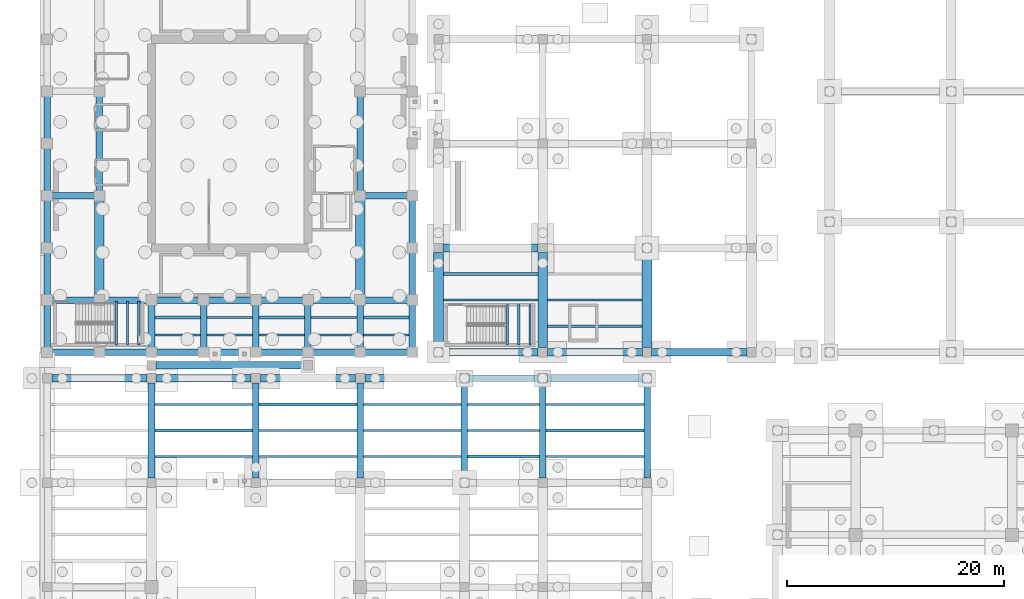
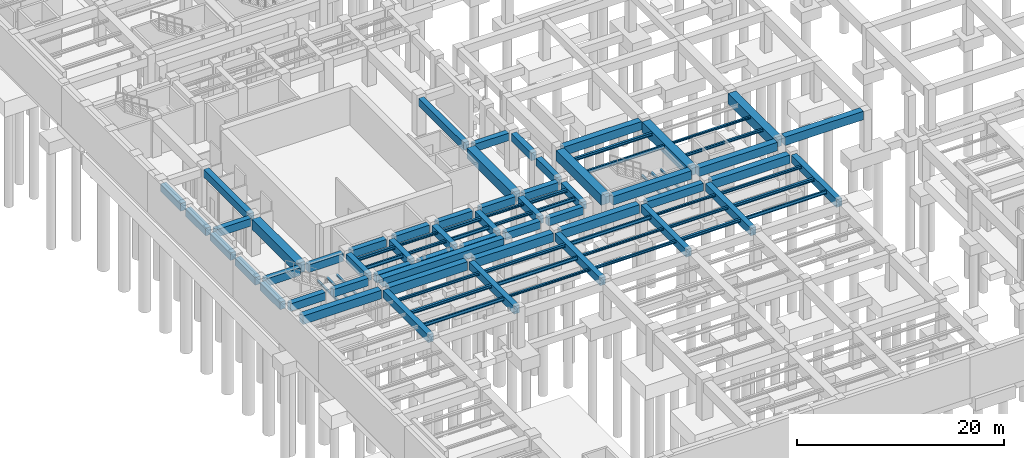
# One storey, part 25 of 56: 88 beams.
"""IFC4 building model written with IfcOpenShell, lengths in metres."""

from ifc_helpers import new_model, si_unit, direction, frame, origin, origin_2d, place, context, subcontext, project, spatial, rectangle, i_section, extrude, material, material_profile, profile_set, type_object, element, save


model = new_model("IFC4")

# Units and contexts
model_context = context("Model", 3, precision=1e-05, world=origin(), true_north=direction((0.0, 1.0)))
body_context = subcontext(model_context, "Body", "Model", "MODEL_VIEW")
ifc_project = project(units=[si_unit("LENGTHUNIT", "METRE"), si_unit("AREAUNIT", "SQUARE_METRE"), si_unit("VOLUMEUNIT", "CUBIC_METRE"), si_unit("PLANEANGLEUNIT", "RADIAN"), si_unit("MASSUNIT", "GRAM", prefix="KILO")], contexts=[model_context])

# Site, building, storey
site_placement = place(None, origin())
site = spatial("IfcSite", under=ifc_project, at=site_placement, CompositionType="ELEMENT")
building_placement = place(site_placement, origin())
building = spatial("IfcBuilding", under=site, at=building_placement, Name="Mavantir Sound Aquarium", CompositionType="ELEMENT")
storey_placement = place(building_placement, frame((0.0, 0.0, -9.60009765625)))
storey = spatial("IfcBuildingStorey", under=building, at=storey_placement, Name="B2", CompositionType="ELEMENT", Elevation=-9.60009765625)

# Beams
ifc_material_1 = material(Name="Concrete C40/50", Category="concrete")
ifc_material_profile_1 = material_profile(ifc_material_1, rectangle(XDim=0.60009765625, YDim=0.89990234375, at=origin_2d()), Name="RC 600X900")
ifc_profile_set_1 = profile_set([ifc_material_profile_1], Name="Concrete C40/50")
beam_type_1 = type_object("IfcBeamType", Name="BM-RC600X900-E", PredefinedType="BEAM", material=ifc_profile_set_1)
beam_1_placement = place(storey_placement, frame((0.449951171875, 40.800048828125, 3.946044921875), z_axis=(1.0, 0.0, 0.0), x_axis=(0.0, 1.0, 0.0)))
element("IfcBeam", 1, at=beam_1_placement, inside=storey, type_object=beam_type_1, Name="B2 primary beam RCB-09 40", PredefinedType="BEAM", context=body_context, shape_type="SweptSolid", body=[
    extrude(rectangle(XDim=0.60009765625, YDim=0.89990234375, at=origin_2d()), origin(), (0.0, 0.0, 1.0), 3.900146484375),
])
for number, where, z_axis, x_axis, name in (
    (2, (5.25, 40.800048828125, 3.946044921875), (1.0, 0.0, 0.0), (0.0, 1.0, 0.0), "B2 primary beam RCB-09 41"),
    (3, (10.050048828125, 40.800048828125, 3.946044921875), (1.0, 0.0, 0.0), (0.0, 1.0, 0.0), "B2 primary beam RCB-09 42"),
    (4, (14.85009765625, 40.800048828125, 3.946044921875), (1.0, 0.0, 0.0), (0.0, 1.0, 0.0), "B2 primary beam RCB-09 43"),
):
    element("IfcBeam", number, at=place(storey_placement, frame(where, z_axis=z_axis, x_axis=x_axis)), inside=storey, type_object=beam_type_1, Name=name, PredefinedType="BEAM", context=body_context, shape_type="SweptSolid", body=[
        extrude(rectangle(XDim=0.60009765625, YDim=0.89990234375, at=origin_2d()), origin(), (0.0, 0.0, 1.0), 3.89990234375),
    ])
for number, where, z_axis, x_axis, name in (
    (5, (19.64990234375, 40.800048828125, 3.946044921875), (1.0, 0.0, 0.0), (0.0, 1.0, 0.0), "B2 primary beam RCB-09 44"),
    (6, (24.449951171875, 40.800048828125, 3.946044921875), (1.0, 0.0, 0.0), (0.0, 1.0, 0.0), "B2 primary beam RCB-09 45"),
):
    element("IfcBeam", number, at=place(storey_placement, frame(where, z_axis=z_axis, x_axis=x_axis)), inside=storey, type_object=beam_type_1, Name=name, PredefinedType="BEAM", context=body_context, shape_type="SweptSolid", body=[
        extrude(rectangle(XDim=0.60009765625, YDim=0.89990234375, at=origin_2d()), origin(), (0.0, 0.0, 1.0), 3.900146484375),
    ])
for number, where, z_axis, x_axis, name in (
    (7, (29.25, 40.800048828125, 3.946044921875), (1.0, 0.0, 0.0), (0.0, 1.0, 0.0), "B2 primary beam RCB-09 46"),
    (8, (0.0, 41.25, 3.946044921875), (0.0, 1.0, 0.0), (-1.0, 0.0, 0.0), "B2 primary girder RCB-09 70"),
    (9, (0.0, 46.050048828125, 3.946044921875), (0.0, 1.0, 0.0), (-1.0, 0.0, 0.0), "B2 primary girder RCB-09 71"),
    (10, (0.0, 50.85009765625, 3.946044921875), (0.0, 1.0, 0.0), (-1.0, 0.0, 0.0), "B2 primary girder RCB-09 72"),
):
    element("IfcBeam", number, at=place(storey_placement, frame(where, z_axis=z_axis, x_axis=x_axis)), inside=storey, type_object=beam_type_1, Name=name, PredefinedType="BEAM", context=body_context, shape_type="SweptSolid", body=[
        extrude(rectangle(XDim=0.60009765625, YDim=0.89990234375, at=origin_2d()), origin(), (0.0, 0.0, 1.0), 3.89990234375),
    ])
for number, where, z_axis, x_axis, name in (
    (11, (0.0, 55.64990234375, 3.946044921875), (0.0, 1.0, 0.0), (-1.0, 0.0, 0.0), "B2 primary girder RCB-09 73"),
    (12, (0.0, 60.449951171875, 3.946044921875), (0.0, 1.0, 0.0), (-1.0, 0.0, 0.0), "B2 primary girder RCB-09 74"),
):
    element("IfcBeam", number, at=place(storey_placement, frame(where, z_axis=z_axis, x_axis=x_axis)), inside=storey, type_object=beam_type_1, Name=name, PredefinedType="BEAM", context=body_context, shape_type="SweptSolid", body=[
        extrude(rectangle(XDim=0.60009765625, YDim=0.89990234375, at=origin_2d()), origin(), (0.0, 0.0, 1.0), 3.900146484375),
    ])
for number, where, z_axis, x_axis, name in (
    (13, (33.60009765625, 41.25, 3.946044921875), (0.0, 1.0, 0.0), (-1.0, 0.0, 0.0), "B2 primary girder RCB-09 94"),
    (14, (33.60009765625, 46.050048828125, 3.946044921875), (0.0, 1.0, 0.0), (-1.0, 0.0, 0.0), "B2 primary girder RCB-09 95"),
    (15, (33.60009765625, 50.85009765625, 3.946044921875), (0.0, 1.0, 0.0), (-1.0, 0.0, 0.0), "B2 primary girder RCB-09 96"),
):
    element("IfcBeam", number, at=place(storey_placement, frame(where, z_axis=z_axis, x_axis=x_axis)), inside=storey, type_object=beam_type_1, Name=name, PredefinedType="BEAM", context=body_context, shape_type="SweptSolid", body=[
        extrude(rectangle(XDim=0.60009765625, YDim=0.89990234375, at=origin_2d()), origin(), (0.0, 0.0, 1.0), 3.89990234375),
    ])
beam_2_placement = place(storey_placement, frame((38.824951171875, 38.39990234375, 3.99609375), z_axis=(1.0, 0.0, 0.0), x_axis=(0.0, 1.0, 0.0)))
element("IfcBeam", 16, at=beam_2_placement, inside=storey, type_object=beam_type_1, Name="B2 primary beam RCB-09 150", PredefinedType="BEAM", context=body_context, shape_type="SweptSolid", body=[
    extrude(rectangle(XDim=0.60009765625, YDim=0.89990234375, at=origin_2d()), origin(), (0.0, 0.0, 1.0), 6.35009765625),
])
beam_3_placement = place(storey_placement, frame((55.199951171875, 29.22509765625, 3.99609375), z_axis=(0.0, 1.0, 0.0), x_axis=(-1.0, 0.0, 0.0)))
element("IfcBeam", 17, at=beam_3_placement, inside=storey, type_object=beam_type_1, Name="B2 primary girder RCB-09 176", PredefinedType="BEAM", context=body_context, shape_type="SweptSolid", body=[
    extrude(rectangle(XDim=0.60009765625, YDim=0.89990234375, at=origin_2d()), origin(), (0.0, 0.0, 1.0), 8.75),
])
ifc_material_profile_2 = material_profile(ifc_material_1, rectangle(XDim=0.60009765625, YDim=0.89990234375, at=origin_2d()), Name="RC 600X900")
ifc_profile_set_2 = profile_set([ifc_material_profile_2], Name="Concrete C40/50")
beam_type_2 = type_object("IfcBeamType", Name="BM-RC600X900-I", PredefinedType="BEAM", material=ifc_profile_set_2)
beam_4_placement = place(storey_placement, frame((0.449951171875, 45.60009765625, 3.946044921875), z_axis=(1.0, 0.0, 0.0), x_axis=(0.0, 1.0, 0.0)))
element("IfcBeam", 18, at=beam_4_placement, inside=storey, type_object=beam_type_2, Name="B2 primary beam RCB-09 47", PredefinedType="BEAM", context=body_context, shape_type="SweptSolid", body=[
    extrude(rectangle(XDim=0.60009765625, YDim=0.89990234375, at=origin_2d()), origin(), (0.0, 0.0, 1.0), 3.900146484375),
])
for number, where, z_axis, x_axis, name in (
    (19, (5.25, 45.60009765625, 3.946044921875), (1.0, 0.0, 0.0), (0.0, 1.0, 0.0), "B2 primary beam RCB-09 48"),
    (20, (10.050048828125, 45.60009765625, 3.946044921875), (1.0, 0.0, 0.0), (0.0, 1.0, 0.0), "B2 primary beam RCB-09 49"),
    (21, (14.85009765625, 45.60009765625, 3.946044921875), (1.0, 0.0, 0.0), (0.0, 1.0, 0.0), "B2 primary beam RCB-09 50"),
):
    element("IfcBeam", number, at=place(storey_placement, frame(where, z_axis=z_axis, x_axis=x_axis)), inside=storey, type_object=beam_type_2, Name=name, PredefinedType="BEAM", context=body_context, shape_type="SweptSolid", body=[
        extrude(rectangle(XDim=0.60009765625, YDim=0.89990234375, at=origin_2d()), origin(), (0.0, 0.0, 1.0), 3.89990234375),
    ])
for number, where, z_axis, x_axis, name in (
    (22, (19.64990234375, 45.60009765625, 3.946044921875), (1.0, 0.0, 0.0), (0.0, 1.0, 0.0), "B2 primary beam RCB-09 51"),
    (23, (24.449951171875, 45.60009765625, 3.946044921875), (1.0, 0.0, 0.0), (0.0, 1.0, 0.0), "B2 primary beam RCB-09 52"),
):
    element("IfcBeam", number, at=place(storey_placement, frame(where, z_axis=z_axis, x_axis=x_axis)), inside=storey, type_object=beam_type_2, Name=name, PredefinedType="BEAM", context=body_context, shape_type="SweptSolid", body=[
        extrude(rectangle(XDim=0.60009765625, YDim=0.89990234375, at=origin_2d()), origin(), (0.0, 0.0, 1.0), 3.900146484375),
    ])
beam_5_placement = place(storey_placement, frame((29.25, 45.60009765625, 3.946044921875), z_axis=(1.0, 0.0, 0.0), x_axis=(0.0, 1.0, 0.0)))
element("IfcBeam", 24, at=beam_5_placement, inside=storey, type_object=beam_type_2, Name="B2 primary beam RCB-09 53", PredefinedType="BEAM", context=body_context, shape_type="SweptSolid", body=[
    extrude(rectangle(XDim=0.60009765625, YDim=0.89990234375, at=origin_2d()), origin(), (0.0, 0.0, 1.0), 3.89990234375),
])
beam_6_placement = place(storey_placement, frame((0.449951171875, 55.199951171875, 3.946044921875), z_axis=(1.0, 0.0, 0.0), x_axis=(0.0, 1.0, 0.0)))
element("IfcBeam", 25, at=beam_6_placement, inside=storey, type_object=beam_type_2, Name="B2 primary beam RCB-09 54", PredefinedType="BEAM", context=body_context, shape_type="SweptSolid", body=[
    extrude(rectangle(XDim=0.60009765625, YDim=0.89990234375, at=origin_2d()), origin(), (0.0, 0.0, 1.0), 3.900146484375),
])
beam_7_placement = place(storey_placement, frame((29.25, 55.199951171875, 3.946044921875), z_axis=(1.0, 0.0, 0.0), x_axis=(0.0, 1.0, 0.0)))
element("IfcBeam", 26, at=beam_7_placement, inside=storey, type_object=beam_type_2, Name="B2 primary beam RCB-09 55", PredefinedType="BEAM", context=body_context, shape_type="SweptSolid", body=[
    extrude(rectangle(XDim=0.60009765625, YDim=0.89990234375, at=origin_2d()), origin(), (0.0, 0.0, 1.0), 3.89990234375),
])
beam_8_placement = place(storey_placement, frame((4.800048828125, 55.64990234375, 3.946044921875), z_axis=(0.0, 1.0, 0.0), x_axis=(-1.0, 0.0, 0.0)))
element("IfcBeam", 27, at=beam_8_placement, inside=storey, type_object=beam_type_2, Name="B2 primary girder RCB-09 79", PredefinedType="BEAM", context=body_context, shape_type="SweptSolid", body=[
    extrude(rectangle(XDim=0.60009765625, YDim=0.89990234375, at=origin_2d()), origin(), (0.0, 0.0, 1.0), 8.7001953125),
])
for number, where, z_axis, x_axis, name in (
    (28, (9.60009765625, 41.25, 3.946044921875), (0.0, 1.0, 0.0), (-1.0, 0.0, 0.0), "B2 primary girder RCB-09 81"),
    (29, (14.39990234375, 41.25, 3.946044921875), (0.0, 1.0, 0.0), (-1.0, 0.0, 0.0), "B2 primary girder RCB-09 83"),
    (30, (19.199951171875, 41.25, 3.946044921875), (0.0, 1.0, 0.0), (-1.0, 0.0, 0.0), "B2 primary girder RCB-09 85"),
    (31, (24.0, 41.25, 3.946044921875), (0.0, 1.0, 0.0), (-1.0, 0.0, 0.0), "B2 primary girder RCB-09 87"),
    (32, (28.800048828125, 41.25, 3.946044921875), (0.0, 1.0, 0.0), (-1.0, 0.0, 0.0), "B2 primary girder RCB-09 89"),
):
    element("IfcBeam", number, at=place(storey_placement, frame(where, z_axis=z_axis, x_axis=x_axis)), inside=storey, type_object=beam_type_2, Name=name, PredefinedType="BEAM", context=body_context, shape_type="SweptSolid", body=[
        extrude(rectangle(XDim=0.60009765625, YDim=0.89990234375, at=origin_2d()), origin(), (0.0, 0.0, 1.0), 3.89990234375),
    ])
beam_9_placement = place(storey_placement, frame((28.800048828125, 55.64990234375, 3.946044921875), z_axis=(0.0, 1.0, 0.0), x_axis=(-1.0, 0.0, 0.0)))
element("IfcBeam", 33, at=beam_9_placement, inside=storey, type_object=beam_type_2, Name="B2 primary girder RCB-09 91", PredefinedType="BEAM", context=body_context, shape_type="SweptSolid", body=[
    extrude(rectangle(XDim=0.60009765625, YDim=0.89990234375, at=origin_2d()), origin(), (0.0, 0.0, 1.0), 8.7001953125),
])
for number, where, z_axis, x_axis, name in (
    (34, (9.60009765625, 29.22509765625, 3.99609375), (0.0, 1.0, 0.0), (-1.0, 0.0, 0.0), "B2 primary girder RCB-09 159"),
    (35, (19.199951171875, 29.22509765625, 3.99609375), (0.0, 1.0, 0.0), (-1.0, 0.0, 0.0), "B2 primary girder RCB-09 160"),
    (36, (28.800048828125, 29.22509765625, 3.99609375), (0.0, 1.0, 0.0), (-1.0, 0.0, 0.0), "B2 primary girder RCB-09 164"),
    (37, (38.39990234375, 29.22509765625, 3.99609375), (0.0, 1.0, 0.0), (-1.0, 0.0, 0.0), "B2 primary girder RCB-09 168"),
    (38, (45.60009765625, 29.22509765625, 3.99609375), (0.0, 1.0, 0.0), (-1.0, 0.0, 0.0), "B2 primary girder RCB-09 172"),
):
    element("IfcBeam", number, at=place(storey_placement, frame(where, z_axis=z_axis, x_axis=x_axis)), inside=storey, type_object=beam_type_2, Name=name, PredefinedType="BEAM", context=body_context, shape_type="SweptSolid", body=[
        extrude(rectangle(XDim=0.60009765625, YDim=0.89990234375, at=origin_2d()), origin(), (0.0, 0.0, 1.0), 8.75),
    ])
ifc_material_profile_3 = material_profile(ifc_material_1, rectangle(XDim=0.699951171875, YDim=1.0, at=origin_2d()), Name="RC 700X1000")
ifc_profile_set_3 = profile_set([ifc_material_profile_3], Name="Concrete C40/50")
beam_type_3 = type_object("IfcBeamType", Name="BM-RC700X1000-E", PredefinedType="BEAM", material=ifc_profile_set_3)
for number, where, z_axis, x_axis, name in (
    (39, (36.425048828125, 40.800048828125, 3.99609375), (1.0, 0.0, 0.0), (0.0, 1.0, 0.0), "B2 primary beam RCB-10 102"),
    (40, (46.02490234375, 40.800048828125, 3.99609375), (1.0, 0.0, 0.0), (0.0, 1.0, 0.0), "B2 primary beam RCB-10 103"),
    (41, (55.625, 40.800048828125, 4.296142578125), (1.0, 0.0, 0.0), (0.0, 1.0, 0.0), "B2 primary beam RCB-10 104"),
    (42, (0.425048828125, 38.39990234375, 3.946044921875), (1.0, 0.0, 0.0), (0.0, 1.0, 0.0), "B2 primary beam RCB-10 146"),
    (43, (10.02490234375, 38.39990234375, 3.946044921875), (1.0, 0.0, 0.0), (0.0, 1.0, 0.0), "B2 primary beam RCB-10 147"),
    (44, (19.625, 38.39990234375, 3.946044921875), (1.0, 0.0, 0.0), (0.0, 1.0, 0.0), "B2 primary beam RCB-10 148"),
    (45, (29.22509765625, 38.39990234375, 3.946044921875), (1.0, 0.0, 0.0), (0.0, 1.0, 0.0), "B2 primary beam RCB-10 149"),
    (46, (46.02490234375, 38.39990234375, 3.946044921875), (1.0, 0.0, 0.0), (0.0, 1.0, 0.0), "B2 primary beam RCB-10 151"),
):
    element("IfcBeam", number, at=place(storey_placement, frame(where, z_axis=z_axis, x_axis=x_axis)), inside=storey, type_object=beam_type_3, Name=name, PredefinedType="BEAM", context=body_context, shape_type="SweptSolid", body=[
        extrude(rectangle(XDim=0.699951171875, YDim=1.0, at=origin_2d()), origin(), (0.0, 0.0, 1.0), 8.75),
    ])
ifc_material_profile_4 = material_profile(ifc_material_1, rectangle(XDim=0.699951171875, YDim=1.0, at=origin_2d()), Name="RC 700X1000")
ifc_profile_set_4 = profile_set([ifc_material_profile_4], Name="Concrete C40/50")
beam_type_4 = type_object("IfcBeamType", Name="BM-RC700X1000-I", PredefinedType="BEAM", material=ifc_profile_set_4)
beam_10_placement = place(storey_placement, frame((10.02490234375, 39.60009765625, 4.296142578125), z_axis=(1.0, 0.0, 0.0), x_axis=(0.0, 1.0, 0.0)))
element("IfcBeam", 47, at=beam_10_placement, inside=storey, type_object=beam_type_4, Name="B2 primary beam RCB-10 8", PredefinedType="BEAM", context=body_context, shape_type="SweptSolid", body=[
    extrude(rectangle(XDim=0.699951171875, YDim=1.0, at=origin_2d()), origin(), (0.0, 0.0, 1.0), 13.550048828125),
])
beam_11_placement = place(storey_placement, frame((36.425048828125, 50.39990234375, 3.99609375), z_axis=(1.0, 0.0, 0.0), x_axis=(0.0, 1.0, 0.0)))
element("IfcBeam", 48, at=beam_11_placement, inside=storey, type_object=beam_type_4, Name="B2 primary beam RCB-10 105", PredefinedType="BEAM", context=body_context, shape_type="SweptSolid", body=[
    extrude(rectangle(XDim=0.699951171875, YDim=1.0, at=origin_2d()), origin(), (0.0, 0.0, 1.0), 8.75),
])
ifc_material_profile_5 = material_profile(ifc_material_1, rectangle(XDim=0.89990234375, YDim=1.199951171875, at=origin_2d()), Name="RC 900X1200")
ifc_profile_set_5 = profile_set([ifc_material_profile_5], Name="Concrete C40/50")
beam_type_5 = type_object("IfcBeamType", Name="BM-RC900X1200-E", PredefinedType="BEAM", material=ifc_profile_set_5)
beam_12_placement = place(storey_placement, frame((36.0, 41.22509765625, 3.89599609375), z_axis=(0.0, 1.0, 0.0), x_axis=(-1.0, 0.0, 0.0)))
element("IfcBeam", 49, at=beam_12_placement, inside=storey, type_object=beam_type_5, Name="B2 primary girder RCB-12 114", PredefinedType="BEAM", context=body_context, shape_type="SweptSolid", body=[
    extrude(rectangle(XDim=0.89990234375, YDim=1.199951171875, at=origin_2d()), origin(), (0.0, 0.0, 1.0), 8.75),
])
ifc_material_profile_6 = material_profile(ifc_material_1, rectangle(XDim=0.89990234375, YDim=1.199951171875, at=origin_2d()), Name="RC 900X1200")
ifc_profile_set_6 = profile_set([ifc_material_profile_6], Name="Concrete C40/50")
beam_type_6 = type_object("IfcBeamType", Name="BM-RC900X1200-I", PredefinedType="BEAM", material=ifc_profile_set_6)
for number, where, z_axis, x_axis, name in (
    (50, (4.800048828125, 46.050048828125, 3.796142578125), (0.0, 1.0, 0.0), (-1.0, 0.0, 0.0), "B2 primary girder RCB-12 78"),
    (51, (28.800048828125, 46.050048828125, 3.796142578125), (0.0, 1.0, 0.0), (-1.0, 0.0, 0.0), "B2 primary girder RCB-12 90"),
):
    element("IfcBeam", number, at=place(storey_placement, frame(where, z_axis=z_axis, x_axis=x_axis)), inside=storey, type_object=beam_type_6, Name=name, PredefinedType="BEAM", context=body_context, shape_type="SweptSolid", body=[
        extrude(rectangle(XDim=0.89990234375, YDim=1.199951171875, at=origin_2d()), origin(), (0.0, 0.0, 1.0), 8.699951171875),
    ])
for number, where, z_axis, x_axis, name in (
    (52, (45.60009765625, 41.22509765625, 3.89599609375), (0.0, 1.0, 0.0), (-1.0, 0.0, 0.0), "B2 primary girder RCB-12 117"),
    (53, (55.199951171875, 41.22509765625, 3.89599609375), (0.0, 1.0, 0.0), (-1.0, 0.0, 0.0), "B2 primary girder RCB-12 120"),
):
    element("IfcBeam", number, at=place(storey_placement, frame(where, z_axis=z_axis, x_axis=x_axis)), inside=storey, type_object=beam_type_6, Name=name, PredefinedType="BEAM", context=body_context, shape_type="SweptSolid", body=[
        extrude(rectangle(XDim=0.89990234375, YDim=1.199951171875, at=origin_2d()), origin(), (0.0, 0.0, 1.0), 8.75),
    ])
ifc_material_2 = material(Name="Structural Steel ASTM A992 Gr50", Category="steel")
ifc_material_profile_7 = material_profile(ifc_material_2, i_section(OverallWidth=0.202880859375, OverallDepth=0.202880859375, WebThickness=0.007080078125, FlangeThickness=0.010986328125, FilletRadius=0.010009765625, at=origin_2d()), Name="W200X46")
ifc_profile_set_7 = profile_set([ifc_material_profile_7], Name="Structural Steel ASTM A992 Gr50")
beam_type_7 = type_object("IfcBeamType", Name="BM-W200X46-I", PredefinedType="LINTEL", material=ifc_profile_set_7)
for number, where, z_axis, x_axis, name in (
    (54, (6.35009765625, 41.47509765625, 2.095703125), (0.0, 1.0, 0.0), (-1.0, 0.0, 0.0), "Stair ST1 landing support beam 1"),
    (55, (7.389892578125, 41.47509765625, 2.095703125), (0.0, 1.0, 0.0), (-1.0, 0.0, 0.0), "Stair ST1 landing support beam 2"),
    (56, (8.429931640625, 41.47509765625, 2.095703125), (0.0, 1.0, 0.0), (-1.0, 0.0, 0.0), "Stair ST1 landing support beam 3"),
):
    element("IfcBeam", number, at=place(storey_placement, frame(where, z_axis=z_axis, x_axis=x_axis)), inside=storey, type_object=beam_type_7, Name=name, PredefinedType="LINTEL", context=body_context, shape_type="SweptSolid", body=[
        extrude(i_section(OverallWidth=0.202880859375, OverallDepth=0.202880859375, WebThickness=0.007080078125, FlangeThickness=0.010986328125, FilletRadius=0.010009765625, at=origin_2d()), origin(), (0.0, 0.0, 1.0), 4.0),
    ])
for number, where, z_axis, x_axis, name in (
    (57, (42.35009765625, 41.47509765625, 2.095703125), (0.0, 1.0, 0.0), (-1.0, 0.0, 0.0), "Stair ST8 landing support beam 139"),
    (58, (43.389892578125, 41.47509765625, 2.095703125), (0.0, 1.0, 0.0), (-1.0, 0.0, 0.0), "Stair ST8 landing support beam 140"),
    (59, (44.429931640625, 41.47509765625, 2.095703125), (0.0, 1.0, 0.0), (-1.0, 0.0, 0.0), "Stair ST8 landing support beam 141"),
):
    element("IfcBeam", number, at=place(storey_placement, frame(where, z_axis=z_axis, x_axis=x_axis)), inside=storey, type_object=beam_type_7, Name=name, PredefinedType="LINTEL", context=body_context, shape_type="SweptSolid", body=[
        extrude(i_section(OverallWidth=0.202880859375, OverallDepth=0.202880859375, WebThickness=0.007080078125, FlangeThickness=0.010986328125, FilletRadius=0.010009765625, at=origin_2d()), origin(), (0.0, 0.0, 1.0), 3.699951171875),
    ])
ifc_material_profile_8 = material_profile(ifc_material_2, i_section(OverallWidth=0.202880859375, OverallDepth=0.251953125, WebThickness=0.008056640625, FlangeThickness=0.013427734375, FilletRadius=0.011962890625, at=origin_2d()), Name="W250X58")
ifc_profile_set_8 = profile_set([ifc_material_profile_8], Name="Structural Steel ASTM A992 Gr50")
beam_type_8 = type_object("IfcBeamType", Name="BM-W250X58-I", PredefinedType="JOIST", material=ifc_profile_set_8)
for number, where, z_axis, x_axis, name in (
    (60, (14.699951171875, 44.0, 4.27001953125), (1.0, 0.0, 0.0), (0.0, 1.0, 0.0), "B2 secondary floor joist SJ-25 4"),
    (61, (24.300048828125, 44.0, 4.27001953125), (1.0, 0.0, 0.0), (0.0, 1.0, 0.0), "B2 secondary floor joist SJ-25 8"),
):
    element("IfcBeam", number, at=place(storey_placement, frame(where, z_axis=z_axis, x_axis=x_axis)), inside=storey, type_object=beam_type_8, Name=name, PredefinedType="JOIST", context=body_context, shape_type="SweptSolid", body=[
        extrude(i_section(OverallWidth=0.202880859375, OverallDepth=0.251953125, WebThickness=0.008056640625, FlangeThickness=0.013427734375, FilletRadius=0.011962890625, at=origin_2d()), origin(), (0.0, 0.0, 1.0), 4.199951171875),
    ])
beam_13_placement = place(storey_placement, frame((46.050048828125, 45.60009765625, 4.3701171875), z_axis=(1.0, 0.0, 0.0), x_axis=(0.0, 1.0, 0.0)))
element("IfcBeam", 62, at=beam_13_placement, inside=storey, type_object=beam_type_8, Name="B2 secondary floor joist SJ-25 24", PredefinedType="JOIST", context=body_context, shape_type="SweptSolid", body=[
    extrude(i_section(OverallWidth=0.202880859375, OverallDepth=0.251953125, WebThickness=0.008056640625, FlangeThickness=0.013427734375, FilletRadius=0.011962890625, at=origin_2d()), origin(), (0.0, 0.0, 1.0), 8.699951171875),
])
for number, where, z_axis, x_axis, name in (
    (63, (19.5, 31.199951171875, 4.320068359375), (1.0, 0.0, 0.0), (0.0, 1.0, 0.0), "B2 secondary floor joist SJ-25 60"),
    (64, (29.10009765625, 33.60009765625, 4.320068359375), (1.0, 0.0, 0.0), (0.0, 1.0, 0.0), "B2 secondary floor joist SJ-25 64"),
):
    element("IfcBeam", number, at=place(storey_placement, frame(where, z_axis=z_axis, x_axis=x_axis)), inside=storey, type_object=beam_type_8, Name=name, PredefinedType="JOIST", context=body_context, shape_type="SweptSolid", body=[
        extrude(i_section(OverallWidth=0.202880859375, OverallDepth=0.251953125, WebThickness=0.008056640625, FlangeThickness=0.013427734375, FilletRadius=0.011962890625, at=origin_2d()), origin(), (0.0, 0.0, 1.0), 9.0),
    ])
beam_14_placement = place(storey_placement, frame((38.699951171875, 36.0, 4.320068359375), z_axis=(1.0, 0.0, 0.0), x_axis=(0.0, 1.0, 0.0)))
element("IfcBeam", 65, at=beam_14_placement, inside=storey, type_object=beam_type_8, Name="B2 secondary floor joist SJ-25 68", PredefinedType="JOIST", context=body_context, shape_type="SweptSolid", body=[
    extrude(i_section(OverallWidth=0.202880859375, OverallDepth=0.251953125, WebThickness=0.008056640625, FlangeThickness=0.013427734375, FilletRadius=0.011962890625, at=origin_2d()), origin(), (0.0, 0.0, 1.0), 6.60009765625),
])
ifc_material_profile_9 = material_profile(ifc_material_2, i_section(OverallWidth=0.205078125, OverallDepth=0.31005859375, WebThickness=0.009521484375, FlangeThickness=0.016357421875, FilletRadius=0.012939453125, at=origin_2d()), Name="W310X74")
ifc_profile_set_9 = profile_set([ifc_material_profile_9], Name="Structural Steel ASTM A992 Gr50")
beam_type_9 = type_object("IfcBeamType", Name="BM-W310X74-I", PredefinedType="JOIST", material=ifc_profile_set_9)
for number, where, z_axis, x_axis, name in (
    (66, (14.699951171875, 42.39990234375, 4.2412109375), (1.0, 0.0, 0.0), (0.0, 1.0, 0.0), "B2 secondary floor joist SJ-31 3"),
    (67, (24.300048828125, 42.39990234375, 4.2412109375), (1.0, 0.0, 0.0), (0.0, 1.0, 0.0), "B2 secondary floor joist SJ-31 7"),
):
    element("IfcBeam", number, at=place(storey_placement, frame(where, z_axis=z_axis, x_axis=x_axis)), inside=storey, type_object=beam_type_9, Name=name, PredefinedType="JOIST", context=body_context, shape_type="SweptSolid", body=[
        extrude(i_section(OverallWidth=0.205078125, OverallDepth=0.31005859375, WebThickness=0.009521484375, FlangeThickness=0.016357421875, FilletRadius=0.012939453125, at=origin_2d()), origin(), (0.0, 0.0, 1.0), 4.199951171875),
    ])
beam_15_placement = place(storey_placement, frame((46.050048828125, 43.199951171875, 4.341064453125), z_axis=(1.0, 0.0, 0.0), x_axis=(0.0, 1.0, 0.0)))
element("IfcBeam", 68, at=beam_15_placement, inside=storey, type_object=beam_type_9, Name="B2 secondary floor joist SJ-31 23", PredefinedType="JOIST", context=body_context, shape_type="SweptSolid", body=[
    extrude(i_section(OverallWidth=0.205078125, OverallDepth=0.31005859375, WebThickness=0.009521484375, FlangeThickness=0.016357421875, FilletRadius=0.012939453125, at=origin_2d()), origin(), (0.0, 0.0, 1.0), 8.699951171875),
])
for number, where, z_axis, x_axis, name in (
    (69, (9.89990234375, 36.0, 4.291015625), (1.0, 0.0, 0.0), (0.0, 1.0, 0.0), "B2 secondary floor joist SJ-31 59"),
    (70, (29.10009765625, 31.199951171875, 4.291015625), (1.0, 0.0, 0.0), (0.0, 1.0, 0.0), "B2 secondary floor joist SJ-31 63"),
):
    element("IfcBeam", number, at=place(storey_placement, frame(where, z_axis=z_axis, x_axis=x_axis)), inside=storey, type_object=beam_type_9, Name=name, PredefinedType="JOIST", context=body_context, shape_type="SweptSolid", body=[
        extrude(i_section(OverallWidth=0.205078125, OverallDepth=0.31005859375, WebThickness=0.009521484375, FlangeThickness=0.016357421875, FilletRadius=0.012939453125, at=origin_2d()), origin(), (0.0, 0.0, 1.0), 9.0),
    ])
beam_16_placement = place(storey_placement, frame((38.699951171875, 33.60009765625, 4.291015625), z_axis=(1.0, 0.0, 0.0), x_axis=(0.0, 1.0, 0.0)))
element("IfcBeam", 71, at=beam_16_placement, inside=storey, type_object=beam_type_9, Name="B2 secondary floor joist SJ-31 67", PredefinedType="JOIST", context=body_context, shape_type="SweptSolid", body=[
    extrude(i_section(OverallWidth=0.205078125, OverallDepth=0.31005859375, WebThickness=0.009521484375, FlangeThickness=0.016357421875, FilletRadius=0.012939453125, at=origin_2d()), origin(), (0.0, 0.0, 1.0), 6.60009765625),
])
beam_17_placement = place(storey_placement, frame((45.89990234375, 36.0, 4.291015625), z_axis=(1.0, 0.0, 0.0), x_axis=(0.0, 1.0, 0.0)))
element("IfcBeam", 72, at=beam_17_placement, inside=storey, type_object=beam_type_9, Name="B2 secondary floor joist SJ-31 71", PredefinedType="JOIST", context=body_context, shape_type="SweptSolid", body=[
    extrude(i_section(OverallWidth=0.205078125, OverallDepth=0.31005859375, WebThickness=0.009521484375, FlangeThickness=0.016357421875, FilletRadius=0.012939453125, at=origin_2d()), origin(), (0.0, 0.0, 1.0), 9.0),
])
ifc_material_profile_10 = material_profile(ifc_material_2, i_section(OverallWidth=0.25390625, OverallDepth=0.35302734375, WebThickness=0.009521484375, FlangeThickness=0.016357421875, FilletRadius=0.014892578125, at=origin_2d()), Name="W360X91")
ifc_profile_set_10 = profile_set([ifc_material_profile_10], Name="Structural Steel ASTM A992 Gr50")
beam_type_10 = type_object("IfcBeamType", Name="BM-W360X91-I", PredefinedType="JOIST", material=ifc_profile_set_10)
beam_18_placement = place(storey_placement, frame((9.89990234375, 44.0, 4.219482421875), z_axis=(1.0, 0.0, 0.0), x_axis=(0.0, 1.0, 0.0)))
element("IfcBeam", 73, at=beam_18_placement, inside=storey, type_object=beam_type_10, Name="B2 secondary floor joist SJ-36 2", PredefinedType="JOIST", context=body_context, shape_type="SweptSolid", body=[
    extrude(i_section(OverallWidth=0.25390625, OverallDepth=0.35302734375, WebThickness=0.009521484375, FlangeThickness=0.016357421875, FilletRadius=0.014892578125, at=origin_2d()), origin(), (0.0, 0.0, 1.0), 4.2001953125),
])
for number, where, z_axis, x_axis, name in (
    (74, (19.5, 44.0, 4.219482421875), (1.0, 0.0, 0.0), (0.0, 1.0, 0.0), "B2 secondary floor joist SJ-36 6"),
    (75, (29.10009765625, 44.0, 4.219482421875), (1.0, 0.0, 0.0), (0.0, 1.0, 0.0), "B2 secondary floor joist SJ-36 10"),
):
    element("IfcBeam", number, at=place(storey_placement, frame(where, z_axis=z_axis, x_axis=x_axis)), inside=storey, type_object=beam_type_10, Name=name, PredefinedType="JOIST", context=body_context, shape_type="SweptSolid", body=[
        extrude(i_section(OverallWidth=0.25390625, OverallDepth=0.35302734375, WebThickness=0.009521484375, FlangeThickness=0.016357421875, FilletRadius=0.014892578125, at=origin_2d()), origin(), (0.0, 0.0, 1.0), 4.199951171875),
    ])
beam_19_placement = place(storey_placement, frame((36.449951171875, 48.0, 4.319580078125), z_axis=(1.0, 0.0, 0.0), x_axis=(0.0, 1.0, 0.0)))
element("IfcBeam", 76, at=beam_19_placement, inside=storey, type_object=beam_type_10, Name="B2 secondary floor joist SJ-36 22", PredefinedType="JOIST", context=body_context, shape_type="SweptSolid", body=[
    extrude(i_section(OverallWidth=0.25390625, OverallDepth=0.35302734375, WebThickness=0.009521484375, FlangeThickness=0.016357421875, FilletRadius=0.014892578125, at=origin_2d()), origin(), (0.0, 0.0, 1.0), 8.699951171875),
])
for number, where, z_axis, x_axis, name in (
    (77, (9.89990234375, 33.60009765625, 4.26953125), (1.0, 0.0, 0.0), (0.0, 1.0, 0.0), "B2 secondary floor joist SJ-36 58"),
    (78, (19.5, 36.0, 4.26953125), (1.0, 0.0, 0.0), (0.0, 1.0, 0.0), "B2 secondary floor joist SJ-36 62"),
):
    element("IfcBeam", number, at=place(storey_placement, frame(where, z_axis=z_axis, x_axis=x_axis)), inside=storey, type_object=beam_type_10, Name=name, PredefinedType="JOIST", context=body_context, shape_type="SweptSolid", body=[
        extrude(i_section(OverallWidth=0.25390625, OverallDepth=0.35302734375, WebThickness=0.009521484375, FlangeThickness=0.016357421875, FilletRadius=0.014892578125, at=origin_2d()), origin(), (0.0, 0.0, 1.0), 9.0),
    ])
beam_20_placement = place(storey_placement, frame((38.699951171875, 31.199951171875, 4.26953125), z_axis=(1.0, 0.0, 0.0), x_axis=(0.0, 1.0, 0.0)))
element("IfcBeam", 79, at=beam_20_placement, inside=storey, type_object=beam_type_10, Name="B2 secondary floor joist SJ-36 66", PredefinedType="JOIST", context=body_context, shape_type="SweptSolid", body=[
    extrude(i_section(OverallWidth=0.25390625, OverallDepth=0.35302734375, WebThickness=0.009521484375, FlangeThickness=0.016357421875, FilletRadius=0.014892578125, at=origin_2d()), origin(), (0.0, 0.0, 1.0), 6.60009765625),
])
beam_21_placement = place(storey_placement, frame((45.89990234375, 33.60009765625, 4.26953125), z_axis=(1.0, 0.0, 0.0), x_axis=(0.0, 1.0, 0.0)))
element("IfcBeam", 80, at=beam_21_placement, inside=storey, type_object=beam_type_10, Name="B2 secondary floor joist SJ-36 70", PredefinedType="JOIST", context=body_context, shape_type="SweptSolid", body=[
    extrude(i_section(OverallWidth=0.25390625, OverallDepth=0.35302734375, WebThickness=0.009521484375, FlangeThickness=0.016357421875, FilletRadius=0.014892578125, at=origin_2d()), origin(), (0.0, 0.0, 1.0), 9.0),
])
ifc_material_profile_11 = material_profile(ifc_material_2, i_section(OverallWidth=0.180908203125, OverallDepth=0.4169921875, WebThickness=0.010986328125, FlangeThickness=0.018310546875, FilletRadius=0.014892578125, at=origin_2d()), Name="W410X85")
ifc_profile_set_11 = profile_set([ifc_material_profile_11], Name="Structural Steel ASTM A992 Gr50")
beam_type_11 = type_object("IfcBeamType", Name="BM-W410X85-I", PredefinedType="JOIST", material=ifc_profile_set_11)
beam_22_placement = place(storey_placement, frame((9.89990234375, 42.39990234375, 4.1875), z_axis=(1.0, 0.0, 0.0), x_axis=(0.0, 1.0, 0.0)))
element("IfcBeam", 81, at=beam_22_placement, inside=storey, type_object=beam_type_11, Name="B2 secondary floor joist SJ-41 1", PredefinedType="JOIST", context=body_context, shape_type="SweptSolid", body=[
    extrude(i_section(OverallWidth=0.180908203125, OverallDepth=0.4169921875, WebThickness=0.010986328125, FlangeThickness=0.018310546875, FilletRadius=0.014892578125, at=origin_2d()), origin(), (0.0, 0.0, 1.0), 4.2001953125),
])
for number, where, z_axis, x_axis, name in (
    (82, (19.5, 42.39990234375, 4.1875), (1.0, 0.0, 0.0), (0.0, 1.0, 0.0), "B2 secondary floor joist SJ-41 5"),
    (83, (29.10009765625, 42.39990234375, 4.1875), (1.0, 0.0, 0.0), (0.0, 1.0, 0.0), "B2 secondary floor joist SJ-41 9"),
):
    element("IfcBeam", number, at=place(storey_placement, frame(where, z_axis=z_axis, x_axis=x_axis)), inside=storey, type_object=beam_type_11, Name=name, PredefinedType="JOIST", context=body_context, shape_type="SweptSolid", body=[
        extrude(i_section(OverallWidth=0.180908203125, OverallDepth=0.4169921875, WebThickness=0.010986328125, FlangeThickness=0.018310546875, FilletRadius=0.014892578125, at=origin_2d()), origin(), (0.0, 0.0, 1.0), 4.199951171875),
    ])
beam_23_placement = place(storey_placement, frame((36.449951171875, 45.60009765625, 4.28759765625), z_axis=(1.0, 0.0, 0.0), x_axis=(0.0, 1.0, 0.0)))
element("IfcBeam", 84, at=beam_23_placement, inside=storey, type_object=beam_type_11, Name="B2 secondary floor joist SJ-41 21", PredefinedType="JOIST", context=body_context, shape_type="SweptSolid", body=[
    extrude(i_section(OverallWidth=0.180908203125, OverallDepth=0.4169921875, WebThickness=0.010986328125, FlangeThickness=0.018310546875, FilletRadius=0.014892578125, at=origin_2d()), origin(), (0.0, 0.0, 1.0), 8.699951171875),
])
for number, where, z_axis, x_axis, name in (
    (85, (9.89990234375, 31.199951171875, 4.237548828125), (1.0, 0.0, 0.0), (0.0, 1.0, 0.0), "B2 secondary floor joist SJ-41 57"),
    (86, (19.5, 33.60009765625, 4.237548828125), (1.0, 0.0, 0.0), (0.0, 1.0, 0.0), "B2 secondary floor joist SJ-41 61"),
    (87, (29.10009765625, 36.0, 4.237548828125), (1.0, 0.0, 0.0), (0.0, 1.0, 0.0), "B2 secondary floor joist SJ-41 65"),
    (88, (45.89990234375, 31.199951171875, 4.237548828125), (1.0, 0.0, 0.0), (0.0, 1.0, 0.0), "B2 secondary floor joist SJ-41 69"),
):
    element("IfcBeam", number, at=place(storey_placement, frame(where, z_axis=z_axis, x_axis=x_axis)), inside=storey, type_object=beam_type_11, Name=name, PredefinedType="JOIST", context=body_context, shape_type="SweptSolid", body=[
        extrude(i_section(OverallWidth=0.180908203125, OverallDepth=0.4169921875, WebThickness=0.010986328125, FlangeThickness=0.018310546875, FilletRadius=0.014892578125, at=origin_2d()), origin(), (0.0, 0.0, 1.0), 9.0),
    ])

save(model, "model.ifc")
